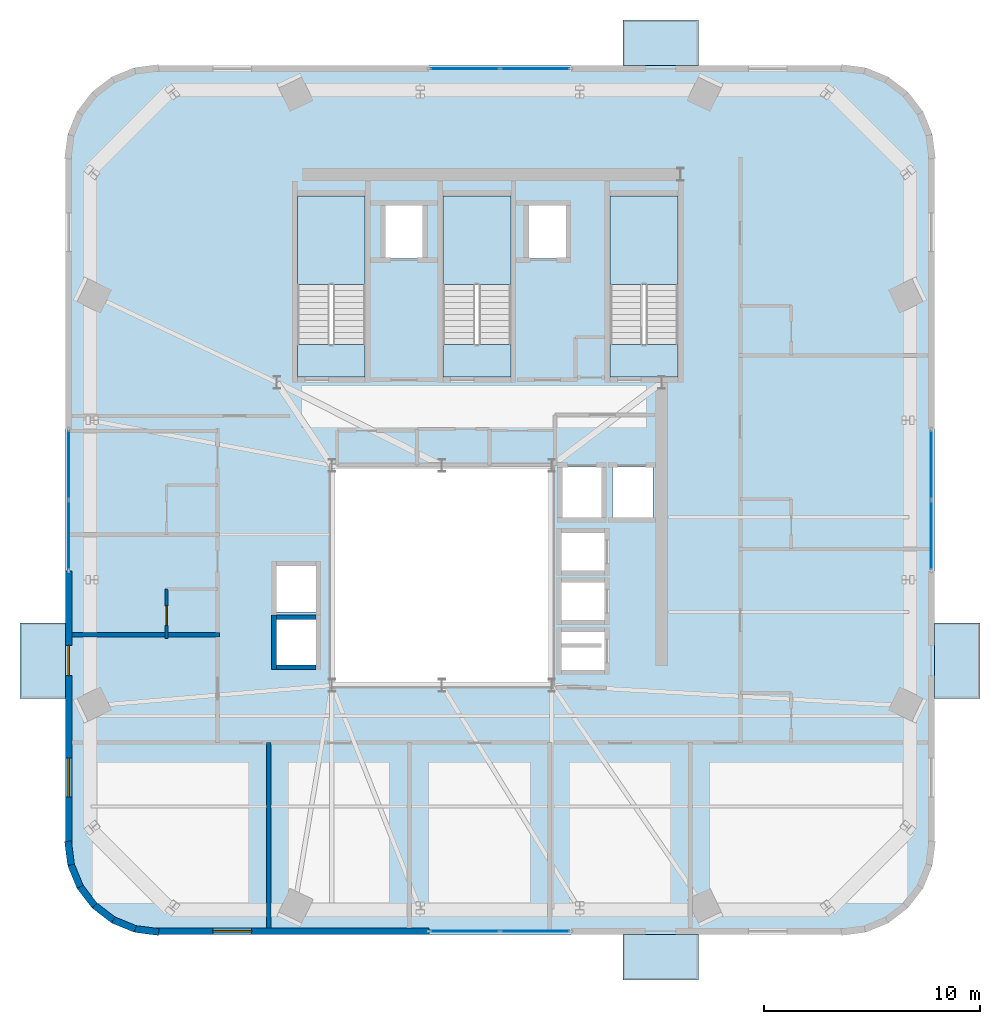
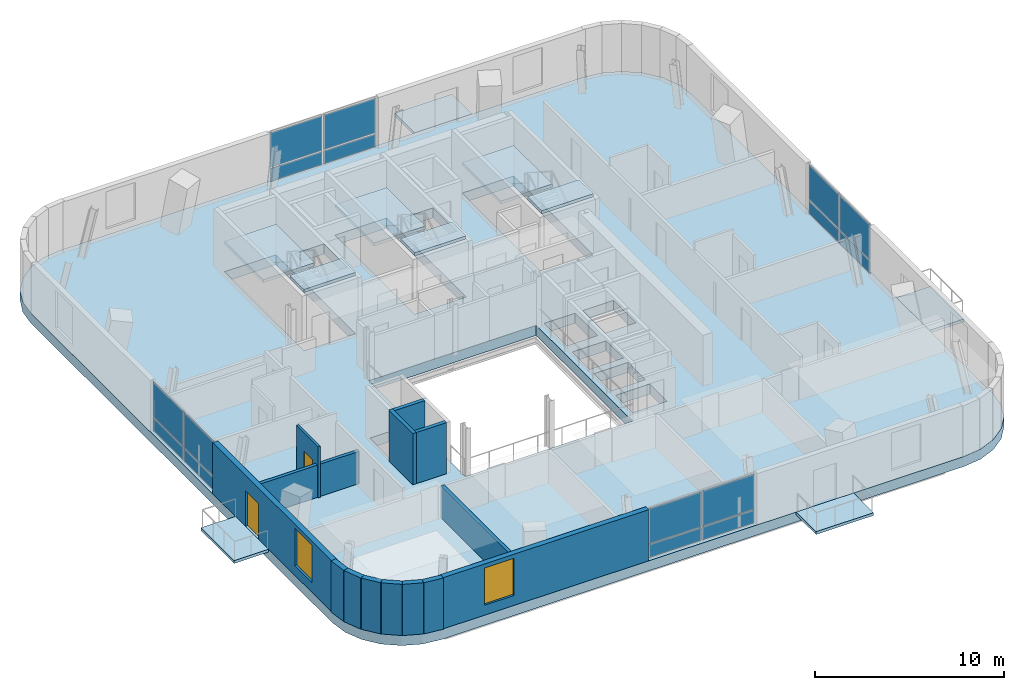
# One storey, part 6 of 13: 16 plates, 14 walls, 11 slabs, 2 doors, 2 windows, 4 openings, 7 elements without a shape of their own.
"""IFC4 building model written with IfcOpenShell, lengths in metres."""

import ifcopenshell
import ifcopenshell.guid

model = None  # the IFC model being written
_history = None  # IfcOwnerHistory: only IFC2X3 demands one
_inside = {}  # id of a spatial element -> (the spatial element, [elements in it])
_under = {}  # id of a project, library or spatial element -> (it, [spatial elements below it])
_declared = {}  # id of a project -> (the project, [libraries it declares])
_typed = {}  # id of a type object -> (the type object, [elements of that type])
_made_of = {}  # id of a material, layer set ... -> (it, [elements and type objects made of it])


def new_model(schema):
    """Start an empty IFC model of exactly this schema.

    Asked for "IFC4X3", IfcOpenShell would pick the latest addendum, in which some entities
    have other attributes; the version numbers below select the first issue.
    IFC2X3 requires an IfcOwnerHistory on every rooted entity: one is made here for all.
    """
    global model, _history
    if schema == "IFC4X3":
        model = ifcopenshell.file(schema_version=(4, 3, 0, 0))
    else:
        model = ifcopenshell.file(schema=schema)
    _inside.clear()
    _under.clear()
    _declared.clear()
    _typed.clear()
    _made_of.clear()
    _history = None
    if model.schema == "IFC2X3":
        org = make("IfcOrganization", Name="unknown")
        user = make(
            "IfcPersonAndOrganization",
            ThePerson=make("IfcPerson", FamilyName="unknown"),
            TheOrganization=org,
        )
        app = make(
            "IfcApplication",
            ApplicationDeveloper=org,
            Version="unknown",
            ApplicationFullName="unknown",
            ApplicationIdentifier="unknown",
        )
        _history = make(
            "IfcOwnerHistory",
            OwningUser=user,
            OwningApplication=app,
            ChangeAction="ADDED",
            CreationDate=0,
        )
    return model


def make(cls, **values):
    """One entity of the class cls with the attributes given. An attribute that is None is left unset."""
    return model.create_entity(
        cls, **{name: value for name, value in values.items() if value is not None}
    )


def rooted(cls, **values):
    """An entity with a GlobalId (a new one), such as an element, a storey or a relation."""
    return make(cls, GlobalId=ifcopenshell.guid.new(), OwnerHistory=_history, **values)


def si_unit(unit_type, name, prefix=None):
    """IfcSIUnit, for example si_unit("LENGTHUNIT", "METRE", prefix="MILLI")."""
    return make("IfcSIUnit", UnitType=unit_type, Prefix=prefix, Name=name)


def assignment(units):
    """IfcUnitAssignment: the units of a project."""
    return None if units is None else make("IfcUnitAssignment", Units=units)


def point(xyz):
    """IfcCartesianPoint."""
    return None if xyz is None else make("IfcCartesianPoint", Coordinates=xyz)


def direction(xyz):
    """IfcDirection."""
    return None if xyz is None else make("IfcDirection", DirectionRatios=xyz)


def frame(location, z_axis=None, x_axis=None):
    """IfcAxis2Placement3D, a coordinate frame: its origin and axes. An axis left out is left unset."""
    return make(
        "IfcAxis2Placement3D",
        Location=point(location),
        Axis=direction(z_axis),
        RefDirection=direction(x_axis),
    )


def frame_2d(location, x_axis=None):
    """IfcAxis2Placement2D, a coordinate frame in the plane: its origin and x axis."""
    return make(
        "IfcAxis2Placement2D", Location=point(location), RefDirection=direction(x_axis)
    )


def origin():
    """The frame at (0, 0, 0) with its axes left unset."""
    return frame((0.0, 0.0, 0.0))


def origin_2d():
    """The frame at (0, 0) in the plane with its x axis left unset."""
    return frame_2d((0.0, 0.0))


def place(relative_to, where):
    """IfcLocalPlacement: puts the frame where relative to a parent placement (None: the world)."""
    return make(
        "IfcLocalPlacement", PlacementRelTo=relative_to, RelativePlacement=where
    )


def context(
    kind, dimensions, precision=None, world=None, true_north=None, identifier=None
):
    """IfcGeometricRepresentationContext, for example the 3D "Model" context."""
    return make(
        "IfcGeometricRepresentationContext",
        ContextIdentifier=identifier,
        ContextType=kind,
        CoordinateSpaceDimension=dimensions,
        Precision=precision,
        WorldCoordinateSystem=world,
        TrueNorth=true_north,
    )


def subcontext(parent, identifier, kind, view, scale=None):
    """IfcGeometricRepresentationSubContext, for example "Body" below "Model"."""
    return make(
        "IfcGeometricRepresentationSubContext",
        ContextIdentifier=identifier,
        ContextType=kind,
        ParentContext=parent,
        TargetScale=scale,
        TargetView=view,
    )


def project(units=None, contexts=None):
    """IfcProject with its units and contexts."""
    return rooted(
        "IfcProject",
        Name="project",
        RepresentationContexts=contexts,
        UnitsInContext=assignment(units),
    )


def spatial(cls, under=None, at=None, **own):
    """A site, building, storey or space (cls), placed at a placement, below another one or the project."""
    s = rooted(cls, ObjectPlacement=at, **own)
    if under is not None:
        _under.setdefault(under.id(), (under, []))[1].append(s)
    return s


def polyline(points):
    """IfcPolyline through the points."""
    return make("IfcPolyline", Points=[point(p) for p in points])


def profile(cls, at=None, kind="AREA", **sizes):
    """A parametric profile (cls). Its sizes go by their IFC names, for example OverallWidth=200.0."""
    return make(cls, ProfileType=kind, Position=at, **sizes)


def rectangle(**sizes):
    """IfcRectangleProfileDef."""
    return profile("IfcRectangleProfileDef", **sizes)


def outline(outer, holes=None, kind="AREA"):
    """IfcArbitraryClosedProfileDef: a profile drawn as a closed curve; with holes, ...WithVoids."""
    if holes is None:
        return make("IfcArbitraryClosedProfileDef", ProfileType=kind, OuterCurve=outer)
    return make(
        "IfcArbitraryProfileDefWithVoids",
        ProfileType=kind,
        OuterCurve=outer,
        InnerCurves=holes,
    )


def extrude(swept, where, along, depth):
    """IfcExtrudedAreaSolid: the profile swept, set in the frame where, extruded along a direction by depth."""
    return make(
        "IfcExtrudedAreaSolid",
        SweptArea=swept,
        Position=where,
        ExtrudedDirection=direction(along),
        Depth=depth,
    )


def shape(context_of_items, identifier, shape_type, items):
    """IfcShapeRepresentation: the items that make up one representation, for example the "Body"."""
    return make(
        "IfcShapeRepresentation",
        ContextOfItems=context_of_items,
        RepresentationIdentifier=identifier,
        RepresentationType=shape_type,
        Items=items,
    )


def source(mapping_origin, context_of_items, identifier, shape_type, items):
    """IfcRepresentationMap: a shape defined once, which mapped items show again and again."""
    return make(
        "IfcRepresentationMap",
        MappingOrigin=mapping_origin,
        MappedRepresentation=shape(context_of_items, identifier, shape_type, items),
    )


def transform(
    local_origin,
    x_axis=None,
    y_axis=None,
    z_axis=None,
    scale=None,
    scale2=None,
    scale3=None,
    uniform=True,
):
    """IfcCartesianTransformationOperator3D, or its non-uniform kind. x_axis, y_axis, z_axis: its Axis1, 2, 3."""
    if uniform:
        return make(
            "IfcCartesianTransformationOperator3D",
            Axis1=direction(x_axis),
            Axis2=direction(y_axis),
            LocalOrigin=point(local_origin),
            Scale=scale,
            Axis3=direction(z_axis),
        )
    return make(
        "IfcCartesianTransformationOperator3DnonUniform",
        Axis1=direction(x_axis),
        Axis2=direction(y_axis),
        LocalOrigin=point(local_origin),
        Scale=scale,
        Axis3=direction(z_axis),
        Scale2=scale2,
        Scale3=scale3,
    )


def mapped(mapping_source, mapping_target):
    """IfcMappedItem: shows the shape of a source again, moved by a transform."""
    return make(
        "IfcMappedItem", MappingSource=mapping_source, MappingTarget=mapping_target
    )


def material(Name=None, Category=None):
    """IfcMaterial."""
    return make("IfcMaterial", Name=Name, Category=Category)


def layer(
    of_material, thickness, ventilated=None, Name=None, Category=None, Priority=None
):
    """IfcMaterialLayer: one layer of a wall or slab, of a material (None: an air gap)."""
    return make(
        "IfcMaterialLayer",
        Material=of_material,
        LayerThickness=thickness,
        IsVentilated=ventilated,
        Name=Name,
        Category=Category,
        Priority=Priority,
    )


def layer_set(layers, Name=None):
    """IfcMaterialLayerSet."""
    return make("IfcMaterialLayerSet", MaterialLayers=layers, LayerSetName=Name)


def made_of(thing, what):
    """Note that an element or type object is made of a material, layer set ...; save() writes the relation."""
    if what is not None:
        _made_of.setdefault(what.id(), (what, []))[1].append(thing)
    return thing


def type_object(cls, material=None, **own):
    """A type object (cls), such as IfcWallType, which elements share."""
    return made_of(rooted(cls, **own), material)


def element(
    cls,
    number,
    at=None,
    inside=None,
    cuts=None,
    type_object=None,
    material=None,
    context=None,
    identifier="Body",
    shape_type=None,
    held_by="IfcProductDefinitionShape",
    body=None,
    shapes=None,
    **own,
):
    """One element of the class cls, such as IfcWall. Its Tag is "e" and its number.

    at: its placement. inside: the storey or other place that contains it. cuts: it is an
    opening in that element (IfcRelVoidsElement). A single representation is given by context,
    identifier, shape_type and body (its items); several are given by shapes. held_by: the class
    of the entity that holds the representations. save() writes the other relations.
    """
    e = rooted(cls, Tag="e%d" % number, ObjectPlacement=at, **own)
    if body is not None:
        shapes = [shape(context, identifier, shape_type, body)]
    if shapes is not None:
        e.Representation = make(held_by, Representations=shapes)
    if inside is not None:
        _inside.setdefault(inside.id(), (inside, []))[1].append(e)
    if cuts is not None:
        rooted(
            "IfcRelVoidsElement", RelatingBuildingElement=cuts, RelatedOpeningElement=e
        )
    if type_object is not None:
        _typed.setdefault(type_object.id(), (type_object, []))[1].append(e)
    return made_of(e, material)


def fill(opening, filler):
    """IfcRelFillsElement: the door or window that sits in an opening."""
    return rooted(
        "IfcRelFillsElement",
        RelatingOpeningElement=opening,
        RelatedBuildingElement=filler,
    )


def aggregate(whole, parts):
    """IfcRelAggregates: a whole, such as a stair, and the parts it consists of."""
    return rooted("IfcRelAggregates", RelatingObject=whole, RelatedObjects=parts)


def save(model, path):
    """Write the relations noted so far, then the file.

    IfcRelAggregates (storeys below a building ...), IfcRelContainedInSpatialStructure (elements
    in a storey), IfcRelDefinesByType, IfcRelAssociatesMaterial and IfcRelDeclares: one each for
    every whole, place, type object, material and project.
    """
    for whole, parts in _under.values():
        aggregate(whole, parts)
    for where, things in _inside.values():
        rooted(
            "IfcRelContainedInSpatialStructure",
            RelatedElements=things,
            RelatingStructure=where,
        )
    for kind, things in _typed.values():
        rooted("IfcRelDefinesByType", RelatedObjects=things, RelatingType=kind)
    for what, things in _made_of.values():
        rooted("IfcRelAssociatesMaterial", RelatedObjects=things, RelatingMaterial=what)
    for by, libraries in _declared.values():
        rooted("IfcRelDeclares", RelatingContext=by, RelatedDefinitions=libraries)
    model.write(path)


model = new_model("IFC4")

# Units and contexts
model_context = context("Model", 3, precision=1e-05, world=origin(), true_north=direction((0.0, 1.0)))
body_context = subcontext(model_context, "Body", "Model", "MODEL_VIEW")
ifc_project = project(units=[si_unit("LENGTHUNIT", "METRE"), si_unit("AREAUNIT", "SQUARE_METRE"), si_unit("VOLUMEUNIT", "CUBIC_METRE"), si_unit("PLANEANGLEUNIT", "RADIAN"), si_unit("MASSUNIT", "GRAM", prefix="KILO")], contexts=[model_context])

# Site, building, storey
site_placement = place(None, origin())
site = spatial("IfcSite", under=ifc_project, at=site_placement, CompositionType="ELEMENT")
building_placement = place(site_placement, origin())
building = spatial("IfcBuilding", under=site, at=building_placement, Name="Vardaveli Station Tower", CompositionType="ELEMENT")
storey_placement = place(building_placement, frame((0.0, 0.0, 278.25)))
storey = spatial("IfcBuildingStorey", under=building, at=storey_placement, Name="L71", CompositionType="ELEMENT", Elevation=278.25)

# Stair, slabs
ifc_material_1 = material(Name="Concrete C40/50", Category="concrete")
stair_type = type_object("IfcStairType", Name="STR-CORE-1500", PredefinedType="HALF_TURN_STAIR", material=ifc_material_1)
stair_1_placement = place(storey_placement, origin())
stair_1 = element("IfcStair", 1, at=stair_1_placement, inside=storey, type_object=stair_type, Name="L71 ST-1", PredefinedType="HALF_TURN_STAIR")
ifc_layer_1 = layer(ifc_material_1, 0.199951171875, Name="Concrete C40/50")
ifc_layer_set_1 = layer_set([ifc_layer_1], Name="Concrete C40/50")
slab_type_1 = type_object("IfcSlabType", Name="SLB-LAND-200", PredefinedType="LANDING", material=ifc_layer_set_1)
slab_1_placement = place(storey_placement, frame((0.0, 0.0, 1.77490234375)))
slab_1 = element("IfcSlab", 2, at=slab_1_placement, type_object=slab_type_1, Name="ST-1 landing 1", PredefinedType="LANDING", context=body_context, shape_type="SweptSolid", body=[
    extrude(outline(polyline([(32.75, 35.199951171875), (32.75, 39.300048828125), (29.60009765625, 39.300048828125), (29.60009765625, 35.199951171875), (32.75, 35.199951171875)])), origin(), (0.0, 0.0, 1.0), 0.2001953125),
])
slab_2_placement = place(storey_placement, frame((0.0, 0.0, 3.75)))
slab_2 = element("IfcSlab", 3, at=slab_2_placement, type_object=slab_type_1, Name="ST-1 landing 2", PredefinedType="LANDING", context=body_context, shape_type="SweptSolid", body=[
    extrude(outline(polyline([(32.75, 30.89990234375), (32.75, 32.39990234375), (29.60009765625, 32.39990234375), (29.60009765625, 30.89990234375), (32.75, 30.89990234375)])), origin(), (0.0, 0.0, 1.0), 0.199951171875),
])
aggregate(stair_1, [slab_1, slab_2])

stair_2_placement = place(storey_placement, origin())
stair_2 = element("IfcStair", 4, at=stair_2_placement, inside=storey, type_object=stair_type, Name="L71 ST-2", PredefinedType="HALF_TURN_STAIR")
slab_3_placement = place(storey_placement, frame((0.0, 0.0, 1.77490234375)))
slab_3 = element("IfcSlab", 5, at=slab_3_placement, type_object=slab_type_1, Name="ST-2 landing 1", PredefinedType="LANDING", context=body_context, shape_type="SweptSolid", body=[
    extrude(outline(polyline([(39.5, 35.199951171875), (39.5, 39.300048828125), (36.35009765625, 39.300048828125), (36.35009765625, 35.199951171875), (39.5, 35.199951171875)])), origin(), (0.0, 0.0, 1.0), 0.2001953125),
])
slab_4_placement = place(storey_placement, frame((0.0, 0.0, 3.75)))
slab_4 = element("IfcSlab", 6, at=slab_4_placement, type_object=slab_type_1, Name="ST-2 landing 2", PredefinedType="LANDING", context=body_context, shape_type="SweptSolid", body=[
    extrude(outline(polyline([(39.5, 30.89990234375), (39.5, 32.39990234375), (36.35009765625, 32.39990234375), (36.35009765625, 30.89990234375), (39.5, 30.89990234375)])), origin(), (0.0, 0.0, 1.0), 0.199951171875),
])
aggregate(stair_2, [slab_3, slab_4])

stair_3_placement = place(storey_placement, origin())
stair_3 = element("IfcStair", 7, at=stair_3_placement, inside=storey, type_object=stair_type, Name="L71 ST-3", PredefinedType="HALF_TURN_STAIR")
slab_5_placement = place(storey_placement, frame((0.0, 0.0, 1.77490234375)))
slab_5 = element("IfcSlab", 8, at=slab_5_placement, type_object=slab_type_1, Name="ST-3 landing 1", PredefinedType="LANDING", context=body_context, shape_type="SweptSolid", body=[
    extrude(outline(polyline([(47.25, 35.199951171875), (47.25, 39.300048828125), (44.10009765625, 39.300048828125), (44.10009765625, 35.199951171875), (47.25, 35.199951171875)])), origin(), (0.0, 0.0, 1.0), 0.2001953125),
])
slab_6_placement = place(storey_placement, frame((0.0, 0.0, 3.75)))
slab_6 = element("IfcSlab", 9, at=slab_6_placement, type_object=slab_type_1, Name="ST-3 landing 2", PredefinedType="LANDING", context=body_context, shape_type="SweptSolid", body=[
    extrude(outline(polyline([(47.25, 30.89990234375), (47.25, 32.39990234375), (44.10009765625, 32.39990234375), (44.10009765625, 30.89990234375), (47.25, 30.89990234375)])), origin(), (0.0, 0.0, 1.0), 0.199951171875),
])
aggregate(stair_3, [slab_5, slab_6])

# Slabs
ifc_material_2 = material(Name="Precast concrete C45/55", Category="concrete")
ifc_layer_2 = layer(ifc_material_2, 0.179931640625, Name="Precast concrete C45/55")
ifc_layer_set_2 = layer_set([ifc_layer_2], Name="Precast concrete C45/55")
slab_type_2 = type_object("IfcSlabType", Name="SLB-LOGGIA-180", PredefinedType="FLOOR", material=ifc_layer_set_2)
slab_7_placement = place(storey_placement, frame((0.0, 0.0, -0.179931640625)))
element("IfcSlab", 10, at=slab_7_placement, inside=storey, type_object=slab_type_2, Name="LOG-L71-S", PredefinedType="FLOOR", context=body_context, shape_type="SweptSolid", body=[
    extrude(outline(polyline([(44.697509765625, 2.93994140625), (48.197509765625, 2.93994140625), (48.197509765625, 5.0400390625), (44.697509765625, 5.0400390625), (44.697509765625, 2.93994140625)])), origin(), (0.0, 0.0, 1.0), 0.179931640625),
])
slab_8_placement = place(storey_placement, frame((0.0, 0.0, -0.179931640625)))
element("IfcSlab", 11, at=slab_8_placement, inside=storey, type_object=slab_type_2, Name="LOG-L71-N", PredefinedType="FLOOR", context=body_context, shape_type="SweptSolid", body=[
    extrude(outline(polyline([(44.697509765625, 45.360107421875), (48.197509765625, 45.360107421875), (48.197509765625, 47.4599609375), (44.697509765625, 47.4599609375), (44.697509765625, 45.360107421875)])), origin(), (0.0, 0.0, 1.0), 0.179931640625),
])
slab_9_placement = place(storey_placement, frame((0.0, 0.0, -0.179931640625)))
element("IfcSlab", 12, at=slab_9_placement, inside=storey, type_object=slab_type_2, Name="LOG-L71-W", PredefinedType="FLOOR", context=body_context, shape_type="SweptSolid", body=[
    extrude(outline(polyline([(16.739990234375, 16.00244140625), (18.840087890625, 16.00244140625), (18.840087890625, 19.50244140625), (16.739990234375, 19.50244140625), (16.739990234375, 16.00244140625)])), origin(), (0.0, 0.0, 1.0), 0.179931640625),
])
slab_10_placement = place(storey_placement, frame((0.0, 0.0, -0.179931640625)))
element("IfcSlab", 13, at=slab_10_placement, inside=storey, type_object=slab_type_2, Name="LOG-L71-E", PredefinedType="FLOOR", context=body_context, shape_type="SweptSolid", body=[
    extrude(outline(polyline([(59.159912109375, 16.00244140625), (61.260009765625, 16.00244140625), (61.260009765625, 19.50244140625), (59.159912109375, 19.50244140625), (59.159912109375, 16.00244140625)])), origin(), (0.0, 0.0, 1.0), 0.179931640625),
])
ifc_material_3 = material(Name="Concrete C50/60", Category="concrete")
ifc_layer_3 = layer(ifc_material_3, 0.64990234375, Name="Concrete C50/60")
ifc_layer_set_3 = layer_set([ifc_layer_3], Name="Concrete C50/60")
slab_type_3 = type_object("IfcSlabType", Name="SLB-TRANS-600", PredefinedType="FLOOR", material=ifc_layer_set_3)
slab_11_placement = place(storey_placement, frame((0.0, 0.0, -0.64990234375)))
element("IfcSlab", 14, at=slab_11_placement, inside=storey, type_object=slab_type_3, Name="SLB-L71-MAIN", PredefinedType="FLOOR", context=body_context, shape_type="SweptSolid", body=[
    extrude(outline(polyline([(18.840087890625, 9.27392578125), (18.984375, 8.17822265625), (19.4072265625, 7.156982421875), (20.080078125, 6.280029296875), (20.95703125, 5.607177734375), (21.978271484375, 5.184326171875), (23.073974609375, 5.0400390625), (54.926025390625, 5.0400390625), (56.021728515625, 5.184326171875), (57.04296875, 5.607177734375), (57.919921875, 6.280029296875), (58.5927734375, 7.156982421875), (59.015625, 8.17822265625), (59.159912109375, 9.27392578125), (59.159912109375, 41.1259765625), (59.015625, 42.221923828125), (58.5927734375, 43.242919921875), (57.919921875, 44.119873046875), (57.04296875, 44.792724609375), (56.021728515625, 45.2158203125), (54.926025390625, 45.360107421875), (23.073974609375, 45.360107421875), (21.978271484375, 45.2158203125), (20.95703125, 44.792724609375), (20.080078125, 44.119873046875), (19.4072265625, 43.242919921875), (18.984375, 42.221923828125), (18.840087890625, 41.1259765625), (18.840087890625, 9.27392578125)]), holes=[polyline([(31.199951171875, 16.60009765625), (41.39990234375, 16.60009765625), (41.39990234375, 26.800048828125), (31.199951171875, 26.800048828125), (31.199951171875, 16.60009765625)]), polyline([(32.75, 30.89990234375), (32.75, 39.300048828125), (29.60009765625, 39.300048828125), (29.60009765625, 30.89990234375), (32.75, 30.89990234375)]), polyline([(39.5, 30.89990234375), (39.5, 39.300048828125), (36.35009765625, 39.300048828125), (36.35009765625, 30.89990234375), (39.5, 30.89990234375)]), polyline([(47.25, 30.89990234375), (47.25, 39.300048828125), (44.10009765625, 39.300048828125), (44.10009765625, 30.89990234375), (47.25, 30.89990234375)]), polyline([(33.659912109375, 36.409912109375), (35.43994140625, 36.409912109375), (35.43994140625, 38.889892578125), (33.659912109375, 38.889892578125), (33.659912109375, 36.409912109375)]), polyline([(40.31005859375, 36.409912109375), (42.090087890625, 36.409912109375), (42.090087890625, 38.889892578125), (40.31005859375, 38.889892578125), (40.31005859375, 36.409912109375)]), polyline([(41.81005859375, 21.885009765625), (43.889892578125, 21.885009765625), (43.889892578125, 23.715087890625), (41.81005859375, 23.715087890625), (41.81005859375, 21.885009765625)]), polyline([(41.81005859375, 19.5849609375), (43.889892578125, 19.5849609375), (43.889892578125, 21.4150390625), (41.81005859375, 21.4150390625), (41.81005859375, 19.5849609375)]), polyline([(41.81005859375, 17.284912109375), (43.889892578125, 17.284912109375), (43.889892578125, 19.114990234375), (41.81005859375, 19.114990234375), (41.81005859375, 17.284912109375)]), polyline([(28.5849609375, 17.510009765625), (30.514892578125, 17.510009765625), (30.514892578125, 19.68994140625), (28.5849609375, 19.68994140625), (28.5849609375, 17.510009765625)]), polyline([(28.5849609375, 20.010009765625), (30.514892578125, 20.010009765625), (30.514892578125, 22.18994140625), (28.5849609375, 22.18994140625), (28.5849609375, 20.010009765625)]), polyline([(41.860107421875, 24.360107421875), (43.739990234375, 24.360107421875), (43.739990234375, 26.739990234375), (41.860107421875, 26.739990234375), (41.860107421875, 24.360107421875)]), polyline([(44.2099609375, 24.360107421875), (46.090087890625, 24.360107421875), (46.090087890625, 26.739990234375), (44.2099609375, 26.739990234375), (44.2099609375, 24.360107421875)])]), origin(), (0.0, 0.0, 1.0), 0.64990234375),
])

# Curtain wall, plates
ifc_material_4 = material(Name="Travertine stone and solar-control glass", Category="masonry")
curtain_wall_type = type_object("IfcCurtainWallType", Name="CW-SYS-5", PredefinedType="NOTDEFINED", material=ifc_material_4)
curtain_wall_1_placement = place(storey_placement, origin())
curtain_wall_1 = element("IfcCurtainWall", 15, at=curtain_wall_1_placement, inside=storey, type_object=curtain_wall_type, Name="CW-L71-S", PredefinedType="NOTDEFINED")
ifc_material_5 = material(Name="Double-glazed low-E solar-control glass", Category="glass")
ifc_layer_4 = layer(ifc_material_5, 0.031982421875, Name="Double-glazed low-E solar-control glass")
ifc_layer_set_4 = layer_set([ifc_layer_4], Name="Double-glazed low-E solar-control glass")
plate_type = type_object("IfcPlateType", Name="CW-SYS-5-PAN", PredefinedType="CURTAIN_PANEL", material=ifc_layer_set_4)
shared_shape_1 = source(origin(), body_context, "Body", "SweptSolid", [
    extrude(rectangle(XDim=3.179931640625, YDim=0.031982421875, at=origin_2d()), origin(), (0.0, 0.0, 1.0), 0.830078125),
])
plate_1_placement = place(storey_placement, frame((37.3701171875, 5.199951171875, 0.080078125), z_axis=(0.0, 0.0, 1.0), x_axis=(1.0, 0.0, 0.0)))
plate_1 = element("IfcPlate", 16, at=plate_1_placement, type_object=plate_type, Name="CW-5 panel 1.1", PredefinedType="CURTAIN_PANEL", context=body_context, shape_type="MappedRepresentation", body=[
    mapped(shared_shape_1, transform((0.0, 0.0, 0.0), scale=1.0)),
])
plate_2_placement = place(storey_placement, frame((40.6298828125, 5.199951171875, 0.080078125), z_axis=(0.0, 0.0, 1.0), x_axis=(1.0, 0.0, 0.0)))
plate_2 = element("IfcPlate", 17, at=plate_2_placement, type_object=plate_type, Name="CW-5 panel 2.1", PredefinedType="CURTAIN_PANEL", context=body_context, shape_type="MappedRepresentation", body=[
    mapped(shared_shape_1, transform((0.0, 0.0, 0.0), scale=1.0)),
])

curtain_wall_2_placement = place(storey_placement, origin())
curtain_wall_2 = element("IfcCurtainWall", 18, at=curtain_wall_2_placement, inside=storey, type_object=curtain_wall_type, Name="CW-L71-N", PredefinedType="NOTDEFINED")
plate_3_placement = place(storey_placement, frame((40.6298828125, 45.199951171875, 0.080078125), z_axis=(0.0, 0.0, 1.0), x_axis=(-1.0, 0.0, 0.0)))
plate_3 = element("IfcPlate", 19, at=plate_3_placement, type_object=plate_type, Name="CW-5 panel 1.1", PredefinedType="CURTAIN_PANEL", context=body_context, shape_type="MappedRepresentation", body=[
    mapped(shared_shape_1, transform((0.0, 0.0, 0.0), scale=1.0)),
])
plate_4_placement = place(storey_placement, frame((37.3701171875, 45.199951171875, 0.080078125), z_axis=(0.0, 0.0, 1.0), x_axis=(-1.0, 0.0, 0.0)))
plate_4 = element("IfcPlate", 20, at=plate_4_placement, type_object=plate_type, Name="CW-5 panel 2.1", PredefinedType="CURTAIN_PANEL", context=body_context, shape_type="MappedRepresentation", body=[
    mapped(shared_shape_1, transform((0.0, 0.0, 0.0), scale=1.0)),
])

curtain_wall_3_placement = place(storey_placement, origin())
curtain_wall_3 = element("IfcCurtainWall", 21, at=curtain_wall_3_placement, inside=storey, type_object=curtain_wall_type, Name="CW-L71-W", PredefinedType="NOTDEFINED")
plate_5_placement = place(storey_placement, frame((19.0, 26.830078125, 0.080078125), z_axis=(0.0, 0.0, 1.0), x_axis=(0.0, -1.0, 0.0)))
plate_5 = element("IfcPlate", 22, at=plate_5_placement, type_object=plate_type, Name="CW-5 panel 1.1", PredefinedType="CURTAIN_PANEL", context=body_context, shape_type="MappedRepresentation", body=[
    mapped(shared_shape_1, transform((0.0, 0.0, 0.0), scale=1.0)),
])
plate_6_placement = place(storey_placement, frame((19.0, 23.570068359375, 0.080078125), z_axis=(0.0, 0.0, 1.0), x_axis=(0.0, -1.0, 0.0)))
plate_6 = element("IfcPlate", 23, at=plate_6_placement, type_object=plate_type, Name="CW-5 panel 2.1", PredefinedType="CURTAIN_PANEL", context=body_context, shape_type="MappedRepresentation", body=[
    mapped(shared_shape_1, transform((0.0, 0.0, 0.0), scale=1.0)),
])

curtain_wall_4_placement = place(storey_placement, origin())
curtain_wall_4 = element("IfcCurtainWall", 24, at=curtain_wall_4_placement, inside=storey, type_object=curtain_wall_type, Name="CW-L71-E", PredefinedType="NOTDEFINED")
plate_7_placement = place(storey_placement, frame((59.0, 23.570068359375, 0.080078125), z_axis=(0.0, 0.0, 1.0), x_axis=(0.0, 1.0, 0.0)))
plate_7 = element("IfcPlate", 25, at=plate_7_placement, type_object=plate_type, Name="CW-5 panel 1.1", PredefinedType="CURTAIN_PANEL", context=body_context, shape_type="MappedRepresentation", body=[
    mapped(shared_shape_1, transform((0.0, 0.0, 0.0), scale=1.0)),
])
plate_8_placement = place(storey_placement, frame((59.0, 26.830078125, 0.080078125), z_axis=(0.0, 0.0, 1.0), x_axis=(0.0, 1.0, 0.0)))
plate_8 = element("IfcPlate", 26, at=plate_8_placement, type_object=plate_type, Name="CW-5 panel 2.1", PredefinedType="CURTAIN_PANEL", context=body_context, shape_type="MappedRepresentation", body=[
    mapped(shared_shape_1, transform((0.0, 0.0, 0.0), scale=1.0)),
])

# Plate
shared_shape_2 = source(origin(), body_context, "Body", "SweptSolid", [
    extrude(rectangle(XDim=3.179931640625, YDim=0.031982421875, at=origin_2d()), origin(), (0.0, 0.0, 1.0), 2.22998046875),
])
plate_9_placement = place(storey_placement, frame((37.3701171875, 5.199951171875, 0.989990234375), z_axis=(0.0, 0.0, 1.0), x_axis=(1.0, 0.0, 0.0)))
plate_9 = element("IfcPlate", 27, at=plate_9_placement, type_object=plate_type, Name="CW-5 panel 1.2", PredefinedType="CURTAIN_PANEL", context=body_context, shape_type="MappedRepresentation", body=[
    mapped(shared_shape_2, transform((0.0, 0.0, 0.0), scale=1.0)),
])

plate_10_placement = place(storey_placement, frame((40.6298828125, 5.199951171875, 0.989990234375), z_axis=(0.0, 0.0, 1.0), x_axis=(1.0, 0.0, 0.0)))
plate_10 = element("IfcPlate", 28, at=plate_10_placement, type_object=plate_type, Name="CW-5 panel 2.2", PredefinedType="CURTAIN_PANEL", context=body_context, shape_type="MappedRepresentation", body=[
    mapped(shared_shape_2, transform((0.0, 0.0, 0.0), scale=1.0)),
])

aggregate(curtain_wall_1, [plate_1, plate_9, plate_2, plate_10])

plate_11_placement = place(storey_placement, frame((40.6298828125, 45.199951171875, 0.989990234375), z_axis=(0.0, 0.0, 1.0), x_axis=(-1.0, 0.0, 0.0)))
plate_11 = element("IfcPlate", 29, at=plate_11_placement, type_object=plate_type, Name="CW-5 panel 1.2", PredefinedType="CURTAIN_PANEL", context=body_context, shape_type="MappedRepresentation", body=[
    mapped(shared_shape_2, transform((0.0, 0.0, 0.0), scale=1.0)),
])

plate_12_placement = place(storey_placement, frame((37.3701171875, 45.199951171875, 0.989990234375), z_axis=(0.0, 0.0, 1.0), x_axis=(-1.0, 0.0, 0.0)))
plate_12 = element("IfcPlate", 30, at=plate_12_placement, type_object=plate_type, Name="CW-5 panel 2.2", PredefinedType="CURTAIN_PANEL", context=body_context, shape_type="MappedRepresentation", body=[
    mapped(shared_shape_2, transform((0.0, 0.0, 0.0), scale=1.0)),
])

aggregate(curtain_wall_2, [plate_3, plate_11, plate_4, plate_12])

plate_13_placement = place(storey_placement, frame((19.0, 26.830078125, 0.989990234375), z_axis=(0.0, 0.0, 1.0), x_axis=(0.0, -1.0, 0.0)))
plate_13 = element("IfcPlate", 31, at=plate_13_placement, type_object=plate_type, Name="CW-5 panel 1.2", PredefinedType="CURTAIN_PANEL", context=body_context, shape_type="MappedRepresentation", body=[
    mapped(shared_shape_2, transform((0.0, 0.0, 0.0), scale=1.0)),
])

plate_14_placement = place(storey_placement, frame((19.0, 23.570068359375, 0.989990234375), z_axis=(0.0, 0.0, 1.0), x_axis=(0.0, -1.0, 0.0)))
plate_14 = element("IfcPlate", 32, at=plate_14_placement, type_object=plate_type, Name="CW-5 panel 2.2", PredefinedType="CURTAIN_PANEL", context=body_context, shape_type="MappedRepresentation", body=[
    mapped(shared_shape_2, transform((0.0, 0.0, 0.0), scale=1.0)),
])

aggregate(curtain_wall_3, [plate_5, plate_13, plate_6, plate_14])

plate_15_placement = place(storey_placement, frame((59.0, 23.570068359375, 0.989990234375), z_axis=(0.0, 0.0, 1.0), x_axis=(0.0, 1.0, 0.0)))
plate_15 = element("IfcPlate", 33, at=plate_15_placement, type_object=plate_type, Name="CW-5 panel 1.2", PredefinedType="CURTAIN_PANEL", context=body_context, shape_type="MappedRepresentation", body=[
    mapped(shared_shape_2, transform((0.0, 0.0, 0.0), scale=1.0)),
])

plate_16_placement = place(storey_placement, frame((59.0, 26.830078125, 0.989990234375), z_axis=(0.0, 0.0, 1.0), x_axis=(0.0, 1.0, 0.0)))
plate_16 = element("IfcPlate", 34, at=plate_16_placement, type_object=plate_type, Name="CW-5 panel 2.2", PredefinedType="CURTAIN_PANEL", context=body_context, shape_type="MappedRepresentation", body=[
    mapped(shared_shape_2, transform((0.0, 0.0, 0.0), scale=1.0)),
])

aggregate(curtain_wall_4, [plate_7, plate_15, plate_8, plate_16])

# Wall, opening, window
ifc_layer_5 = layer(ifc_material_2, 0.320068359375, Name="Precast concrete C45/55")
ifc_layer_set_5 = layer_set([ifc_layer_5], Name="Precast concrete C45/55")
wall_type_1 = type_object("IfcWallType", Name="WAL-EXT-STONE-320", PredefinedType="SOLIDWALL", material=ifc_layer_set_5)
shared_shape_3 = source(origin(), body_context, "Body", "SweptSolid", [
    extrude(rectangle(XDim=12.6259765625, YDim=0.320068359375, at=frame_2d((6.31298828125, 0.0))), origin(), (0.0, 0.0, 1.0), 3.300048828125),
])
wall_1_placement = place(storey_placement, frame((23.073974609375, 5.199951171875, 0.0), z_axis=(0.0, 0.0, 1.0), x_axis=(1.0, 0.0, 0.0)))
wall_1 = element("IfcWall", 35, at=wall_1_placement, inside=storey, type_object=wall_type_1, Name="EW-L71-S1", PredefinedType="SOLIDWALL", context=body_context, shape_type="MappedRepresentation", body=[
    mapped(shared_shape_3, transform((0.0, 0.0, 0.0), scale=1.0)),
])
shared_shape_4 = source(origin(), body_context, "Body", "SweptSolid", [
    extrude(rectangle(XDim=1.800048828125, YDim=2.39990234375, at=frame_2d((0.89990234375, 1.199951171875))), frame((0.0, 0.169921875, 0.0), z_axis=(0.0, -1.0, 0.0), x_axis=(1.0, 0.0, 0.0)), (0.0, 0.0, 1.0), 0.340087890625),
])
opening_1_placement = place(wall_1_placement, frame((2.610107421875, 0.0, 0.639892578125)))
opening_1 = element("IfcOpeningElement", 36, at=opening_1_placement, cuts=wall_1, Name="Opening W-05", PredefinedType="OPENING", context=body_context, shape_type="MappedRepresentation", body=[
    mapped(shared_shape_4, transform((0.0, 0.0, 0.0), scale=1.0)),
])
ifc_material_6 = material(Name="Low-E solar-control glass", Category="glass")
window_type = type_object("IfcWindowType", Name="WIN-HIGH-1800x2400", PartitioningType="SINGLE_PANEL", PredefinedType="WINDOW", material=ifc_material_6)
shared_shape_5 = source(origin(), body_context, "Body", "SweptSolid", [
    extrude(rectangle(XDim=1.800048828125, YDim=2.39990234375, at=frame_2d((0.89990234375, 1.199951171875))), frame((0.0, 0.030029296875, 0.0), z_axis=(0.0, -1.0, 0.0), x_axis=(1.0, 0.0, 0.0)), (0.0, 0.0, 1.0), 0.06005859375),
])
window_1_placement = place(opening_1_placement, origin())
window_1 = element("IfcWindow", 37, at=window_1_placement, inside=storey, type_object=window_type, Name="WN-L71-S1", OverallHeight=2.39990234375, OverallWidth=1.800048828125, PartitioningType="SINGLE_PANEL", PredefinedType="WINDOW", context=body_context, shape_type="MappedRepresentation", body=[
    mapped(shared_shape_5, transform((0.0, 0.0, 0.0), scale=1.0)),
])
fill(opening_1, window_1)

# Wall, openings, door, window
wall_2_placement = place(storey_placement, frame((19.0, 21.89990234375, 0.0), z_axis=(0.0, 0.0, 1.0), x_axis=(0.0, -1.0, 0.0)))
wall_2 = element("IfcWall", 38, at=wall_2_placement, inside=storey, type_object=wall_type_1, Name="EW-L71-W2", PredefinedType="SOLIDWALL", context=body_context, shape_type="MappedRepresentation", body=[
    mapped(shared_shape_3, transform((0.0, 0.0, 0.0), scale=1.0)),
])
shared_shape_6 = source(origin(), body_context, "Body", "SweptSolid", [
    extrude(rectangle(XDim=1.39990234375, YDim=2.300048828125, at=frame_2d((0.699951171875, 1.14990234375))), frame((0.0, 0.169921875, 0.0), z_axis=(0.0, -1.0, 0.0), x_axis=(1.0, 0.0, 0.0)), (0.0, 0.0, 1.0), 0.340087890625),
])
opening_2_placement = place(wall_2_placement, frame((3.447509765625, 0.0, 0.0)))
opening_2 = element("IfcOpeningElement", 39, at=opening_2_placement, cuts=wall_2, Name="Opening D-09", PredefinedType="OPENING", context=body_context, shape_type="MappedRepresentation", body=[
    mapped(shared_shape_6, transform((0.0, 0.0, 0.0), scale=1.0)),
])
opening_3_placement = place(wall_2_placement, frame((8.665771484375, 0.0, 0.639892578125)))
opening_3 = element("IfcOpeningElement", 40, at=opening_3_placement, cuts=wall_2, Name="Opening W-05", PredefinedType="OPENING", context=body_context, shape_type="MappedRepresentation", body=[
    mapped(shared_shape_4, transform((0.0, 0.0, 0.0), scale=1.0)),
])
ifc_material_7 = material(Name="Thermally broken aluminium glass", Category="aluminium")
door_type_1 = type_object("IfcDoorType", Name="DR-LOG-1400x2300", OperationType="DOUBLE_DOOR_SLIDING", PredefinedType="DOOR", material=ifc_material_7)
shared_shape_7 = source(origin(), body_context, "Body", "SweptSolid", [
    extrude(rectangle(XDim=1.39990234375, YDim=2.300048828125, at=frame_2d((0.699951171875, 1.14990234375))), frame((0.0, 0.02490234375, 0.0), z_axis=(0.0, -1.0, 0.0), x_axis=(1.0, 0.0, 0.0)), (0.0, 0.0, 1.0), 0.050048828125),
])
door_1_placement = place(opening_2_placement, frame((1.39990234375, 0.0, 0.0), z_axis=(0.0, 0.0, 1.0), x_axis=(-1.0, 0.0, 0.0)))
door_1 = element("IfcDoor", 41, at=door_1_placement, inside=storey, type_object=door_type_1, Name="DLG-L71-W", OperationType="DOUBLE_DOOR_SLIDING", OverallHeight=2.300048828125, OverallWidth=1.39990234375, PredefinedType="DOOR", context=body_context, shape_type="MappedRepresentation", body=[
    mapped(shared_shape_7, transform((0.0, 0.0, 0.0), scale=1.0)),
])
fill(opening_2, door_1)
window_2_placement = place(opening_3_placement, origin())
window_2 = element("IfcWindow", 42, at=window_2_placement, inside=storey, type_object=window_type, Name="WN-L71-W2", OverallHeight=2.39990234375, OverallWidth=1.800048828125, PartitioningType="SINGLE_PANEL", PredefinedType="WINDOW", context=body_context, shape_type="MappedRepresentation", body=[
    mapped(shared_shape_5, transform((0.0, 0.0, 0.0), scale=1.0)),
])
fill(opening_3, window_2)

# Walls
shared_shape_8 = source(origin(), body_context, "Body", "SweptSolid", [
    extrude(rectangle(XDim=1.1005859375, YDim=0.320068359375, at=frame_2d((0.55029296875, 0.0))), origin(), (0.0, 0.0, 1.0), 3.300048828125),
])
wall_3_placement = place(storey_placement, frame((18.965576171875, 9.373291015625, 0.0), z_axis=(0.0, 0.0, 1.0), x_axis=(0.127774253526, -0.991803276933, 0.0)))
element("IfcWall", 43, at=wall_3_placement, inside=storey, type_object=wall_type_1, Name="EW-L71-CR1-1", PredefinedType="SOLIDWALL", context=body_context, shape_type="MappedRepresentation", body=[
    mapped(shared_shape_8, transform((0.0, 0.0, 0.0), scale=1.0)),
])
shared_shape_9 = source(origin(), body_context, "Body", "SweptSolid", [
    extrude(rectangle(XDim=1.09912109375, YDim=0.320068359375, at=frame_2d((0.549560546875, 0.0))), origin(), (0.0, 0.0, 1.0), 3.300048828125),
])
for number, where, z_axis, x_axis, name in (
    (44, (19.106201171875, 8.28173828125, 0.0), (0.0, 0.0, 1.0), (0.380906191676, -0.924613688598, 0.0), "EW-L71-CR1-2"),
    (45, (21.0654296875, 5.724853515625, 0.0), (0.0, 0.0, 1.0), (0.924613688598, -0.380906191676, 0.0), "EW-L71-CR1-5"),
):
    element("IfcWall", number, at=place(storey_placement, frame(where, z_axis=z_axis, x_axis=x_axis)), inside=storey, type_object=wall_type_1, Name=name, PredefinedType="SOLIDWALL", context=body_context, shape_type="MappedRepresentation", body=[
        mapped(shared_shape_9, transform((0.0, 0.0, 0.0), scale=1.0)),
    ])
shared_shape_10 = source(origin(), body_context, "Body", "SweptSolid", [
    extrude(rectangle(XDim=1.098876953125, YDim=0.320068359375, at=frame_2d((0.54931640625, 0.0))), origin(), (0.0, 0.0, 1.0), 3.300048828125),
])
for number, where, z_axis, x_axis, name in (
    (46, (19.52490234375, 7.265380859375, 0.0), (0.0, 0.0, 1.0), (0.608356907432, -0.793663576825, 0.0), "EW-L71-CR1-3"),
    (47, (20.193359375, 6.393310546875, 0.0), (0.0, 0.0, 1.0), (0.793663576825, -0.608356907432, 0.0), "EW-L71-CR1-4"),
):
    element("IfcWall", number, at=place(storey_placement, frame(where, z_axis=z_axis, x_axis=x_axis)), inside=storey, type_object=wall_type_1, Name=name, PredefinedType="SOLIDWALL", context=body_context, shape_type="MappedRepresentation", body=[
        mapped(shared_shape_10, transform((0.0, 0.0, 0.0), scale=1.0)),
    ])
shared_shape_11 = source(origin(), body_context, "Body", "SweptSolid", [
    extrude(rectangle(XDim=1.100341796875, YDim=0.320068359375, at=frame_2d((0.55029296875, 0.0))), origin(), (0.0, 0.0, 1.0), 3.300048828125),
])
wall_4_placement = place(storey_placement, frame((22.081787109375, 5.30615234375, 0.0), z_axis=(0.0, 0.0, 1.0), x_axis=(0.991799654079, -0.127802371532, 0.0)))
element("IfcWall", 48, at=wall_4_placement, inside=storey, type_object=wall_type_1, Name="EW-L71-CR1-6", PredefinedType="SOLIDWALL", context=body_context, shape_type="MappedRepresentation", body=[
    mapped(shared_shape_11, transform((0.0, 0.0, 0.0), scale=1.0)),
])
ifc_layer_6 = layer(ifc_material_1, 0.219970703125, Name="Concrete C40/50")
ifc_layer_set_6 = layer_set([ifc_layer_6], Name="Concrete C40/50")
wall_type_2 = type_object("IfcWallType", Name="WAL-FFLOBBY-220", PredefinedType="SOLIDWALL", material=ifc_layer_set_6)
shared_shape_12 = source(origin(), body_context, "Body", "SweptSolid", [
    extrude(rectangle(XDim=1.85009765625, YDim=0.219970703125, at=frame_2d((0.925048828125, 0.0))), origin(), (0.0, 0.0, 1.0), 3.300048828125),
])
for number, where, z_axis, x_axis, name in (
    (49, (28.625, 17.43994140625, 0.0), (0.0, 0.0, 1.0), (1.0, 0.0, 0.0), "SHW-OBS-01-L71-S"),
    (50, (28.625, 19.760009765625, 0.0), (0.0, 0.0, 1.0), (1.0, 0.0, 0.0), "SHW-OBS-01-L71-N"),
):
    element("IfcWall", number, at=place(storey_placement, frame(where, z_axis=z_axis, x_axis=x_axis)), inside=storey, type_object=wall_type_2, Name=name, PredefinedType="SOLIDWALL", context=body_context, shape_type="MappedRepresentation", body=[
        mapped(shared_shape_12, transform((0.0, 0.0, 0.0), scale=1.0)),
    ])
shared_shape_13 = source(origin(), body_context, "Body", "SweptSolid", [
    extrude(rectangle(XDim=2.5400390625, YDim=0.219970703125, at=frame_2d((1.27001953125, 0.0))), origin(), (0.0, 0.0, 1.0), 3.300048828125),
])
wall_5_placement = place(storey_placement, frame((28.514892578125, 17.330078125, 0.0), z_axis=(0.0, 0.0, 1.0), x_axis=(0.0, 1.0, 0.0)))
element("IfcWall", 51, at=wall_5_placement, inside=storey, type_object=wall_type_2, Name="SHW-OBS-01-L71-W", PredefinedType="SOLIDWALL", context=body_context, shape_type="MappedRepresentation", body=[
    mapped(shared_shape_13, transform((0.0, 0.0, 0.0), scale=1.0)),
])

# Wall, opening, door
ifc_material_8 = material(Name="Moisture-resistant stud partition")
ifc_layer_7 = layer(ifc_material_8, 0.14990234375, Name="Moisture-resistant stud partition")
ifc_layer_set_7 = layer_set([ifc_layer_7], Name="Moisture-resistant stud partition")
wall_type_3 = type_object("IfcWallType", Name="WAL-WET-150", PredefinedType="PARTITIONING", material=ifc_layer_set_7)
shared_shape_14 = source(origin(), body_context, "Body", "SweptSolid", [
    extrude(rectangle(XDim=2.289794921875, YDim=0.14990234375, at=frame_2d((1.14501953125, 0.0))), origin(), (0.0, 0.0, 1.0), 3.300048828125),
])
wall_6_placement = place(storey_placement, frame((23.5400390625, 18.787109375, 0.0), z_axis=(0.0, 0.0, 1.0), x_axis=(0.0, 1.0, 0.0)))
wall_6 = element("IfcWall", 52, at=wall_6_placement, inside=storey, type_object=wall_type_3, Name="W-L71-BW2-W", PredefinedType="PARTITIONING", context=body_context, shape_type="MappedRepresentation", body=[
    mapped(shared_shape_14, transform((0.0, 0.0, 0.0), scale=1.0)),
])
shared_shape_15 = source(origin(), body_context, "Body", "SweptSolid", [
    extrude(rectangle(XDim=0.89990234375, YDim=2.10009765625, at=frame_2d((0.449951171875, 1.050048828125))), frame((0.0, 0.0849609375, 0.0), z_axis=(0.0, -1.0, 0.0), x_axis=(1.0, 0.0, 0.0)), (0.0, 0.0, 1.0), 0.169921875),
])
opening_4_placement = place(wall_6_placement, frame((0.60009765625, 0.0, 0.0)))
opening_4 = element("IfcOpeningElement", 53, at=opening_4_placement, cuts=wall_6, Name="Opening D-08", PredefinedType="OPENING", context=body_context, shape_type="MappedRepresentation", body=[
    mapped(shared_shape_15, transform((0.0, 0.0, 0.0), scale=1.0)),
])
ifc_material_9 = material(Name="Moisture-resistant oak door")
door_type_2 = type_object("IfcDoorType", Name="DR-BATH-900x2100", OperationType="NOTDEFINED", PredefinedType="DOOR", material=ifc_material_9)
shared_shape_16 = source(origin(), body_context, "Body", "SweptSolid", [
    extrude(rectangle(XDim=0.89990234375, YDim=2.10009765625, at=frame_2d((0.449951171875, 1.050048828125))), frame((0.0, 0.02490234375, 0.0), z_axis=(0.0, -1.0, 0.0), x_axis=(1.0, 0.0, 0.0)), (0.0, 0.0, 1.0), 0.050048828125),
])
door_2_placement = place(opening_4_placement, origin())
door_2 = element("IfcDoor", 54, at=door_2_placement, inside=storey, type_object=door_type_2, Name="D-L71-BW2", OperationType="SINGLE_SWING_LEFT", OverallHeight=2.10009765625, OverallWidth=0.89990234375, PredefinedType="DOOR", context=body_context, shape_type="MappedRepresentation", body=[
    mapped(shared_shape_16, transform((0.0, 0.0, 0.0), scale=1.0)),
])
fill(opening_4, door_2)

# Walls
ifc_material_10 = material(Name="Acoustic twin-stud gypsum partition")
ifc_layer_8 = layer(ifc_material_10, 0.199951171875, Name="Acoustic twin-stud gypsum partition")
ifc_layer_set_8 = layer_set([ifc_layer_8], Name="Acoustic twin-stud gypsum partition")
wall_type_4 = type_object("IfcWallType", Name="WAL-PARTY-200", PredefinedType="PARTITIONING", material=ifc_layer_set_8)
shared_shape_17 = source(origin(), body_context, "Body", "SweptSolid", [
    extrude(rectangle(XDim=8.587890625, YDim=0.199951171875, at=frame_2d((4.2939453125, 0.0))), origin(), (0.0, 0.0, 1.0), 2.080078125),
])
wall_7_placement = place(storey_placement, frame((28.27001953125, 5.362060546875, 0.0), z_axis=(0.0, 0.0, 1.0), x_axis=(0.0, 1.0, 0.0)))
element("IfcWall", 55, at=wall_7_placement, inside=storey, type_object=wall_type_4, Name="W-L71-PS1", PredefinedType="PARTITIONING", context=body_context, shape_type="MappedRepresentation", body=[
    mapped(shared_shape_17, transform((0.0, 0.0, 0.0), scale=1.0)),
])
shared_shape_18 = source(origin(), body_context, "Body", "SweptSolid", [
    extrude(rectangle(XDim=6.837890625, YDim=0.199951171875, at=frame_2d((3.4189453125, 0.0))), origin(), (0.0, 0.0, 1.0), 2.080078125),
])
wall_8_placement = place(storey_placement, frame((19.162109375, 18.951904296875, 0.0), z_axis=(0.0, 0.0, 1.0), x_axis=(1.0, 0.0, 0.0)))
element("IfcWall", 56, at=wall_8_placement, inside=storey, type_object=wall_type_4, Name="W-L71-PW1", PredefinedType="PARTITIONING", context=body_context, shape_type="MappedRepresentation", body=[
    mapped(shared_shape_18, transform((0.0, 0.0, 0.0), scale=1.0)),
])

save(model, "model.ifc")
